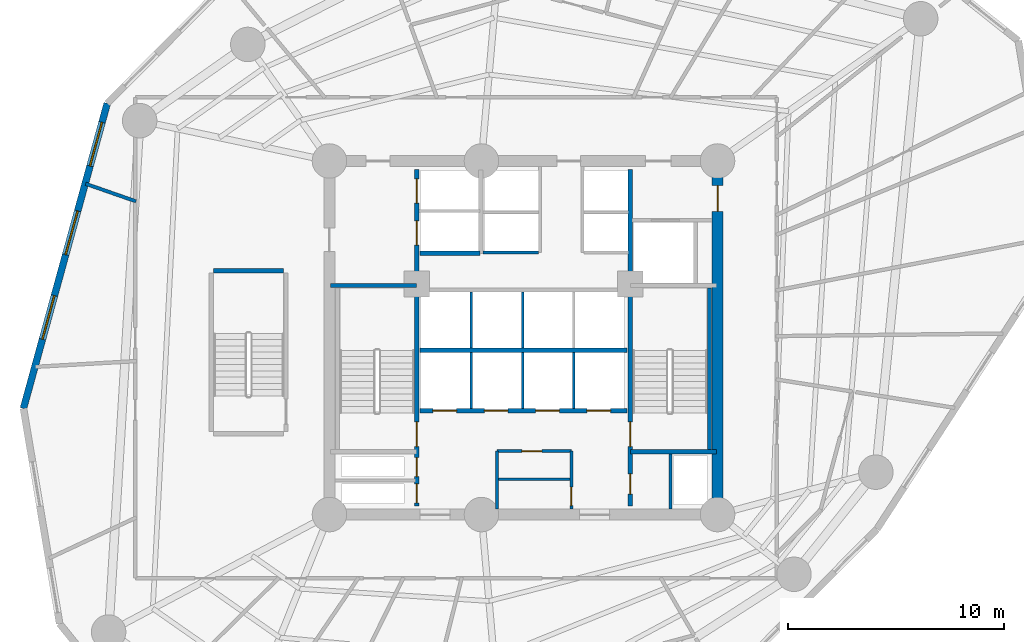
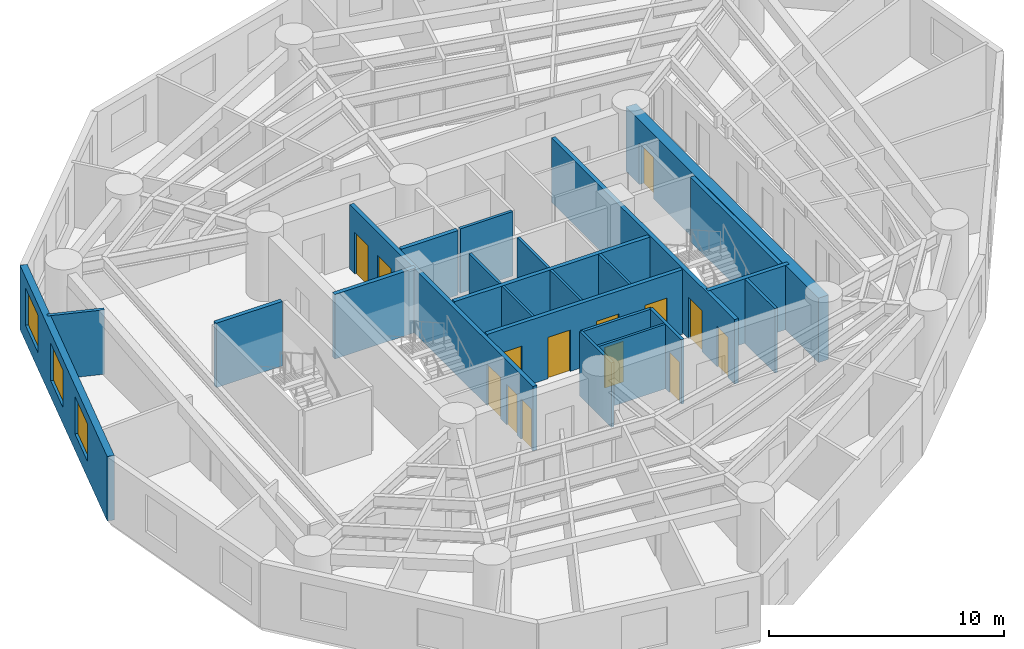
# One storey, part 4 of 8: 23 walls, 14 doors, 3 windows, 17 openings.
"""IFC4 building model written with IfcOpenShell, lengths in metres."""

from ifc_helpers import new_model, si_unit, direction, frame, frame_2d, origin, origin_with_axes, place, context, subcontext, project, spatial, rectangle, extrude, source, transform, mapped, material, layer, layer_set, type_object, element, fill, save


model = new_model("IFC4")

# Units and contexts
model_context = context("Model", 3, precision=1e-05, world=origin(), true_north=direction((0.0, 1.0)))
body_context = subcontext(model_context, "Body", "Model", "MODEL_VIEW")
ifc_project = project(units=[si_unit("LENGTHUNIT", "METRE"), si_unit("AREAUNIT", "SQUARE_METRE"), si_unit("VOLUMEUNIT", "CUBIC_METRE"), si_unit("PLANEANGLEUNIT", "RADIAN"), si_unit("MASSUNIT", "GRAM", prefix="KILO")], contexts=[model_context])

# Site, building, storey
site_placement = place(None, origin())
site = spatial("IfcSite", under=ifc_project, at=site_placement, CompositionType="ELEMENT")
building_placement = place(site_placement, origin())
building = spatial("IfcBuilding", under=site, at=building_placement, Name="Karkom Vertical University and Central Library", CompositionType="ELEMENT")
storey_placement = place(building_placement, frame((0.0, 0.0, 73.300048828125)))
storey = spatial("IfcBuildingStorey", under=building, at=storey_placement, Name="L19", CompositionType="ELEMENT", Elevation=73.300048828125)

# Wall, openings, windows
ifc_material_1 = material(Name="Brick-faced precast concrete C45/55", Category="masonry")
ifc_layer_1 = layer(ifc_material_1, 0.320068359375)
ifc_layer_set_1 = layer_set([ifc_layer_1], Name="Brick-faced precast concrete C45/55")
wall_type_1 = type_object("IfcWallType", Name="ENV-WL-BRK-320", PredefinedType="SOLIDWALL", material=ifc_layer_set_1)
wall_1_placement = place(storey_placement, frame((9.192626953125, 37.373779296875, 0.0), z_axis=(0.0, 0.0, 1.0), x_axis=(-0.264887752156, -0.964279253514, 0.0)))
wall_1 = element("IfcWall", 1, at=wall_1_placement, inside=storey, type_object=wall_type_1, Name="Level 19 Brick-Faced Precast Facade Wall 02", PredefinedType="SOLIDWALL", context=body_context, shape_type="SweptSolid", body=[
    extrude(rectangle(XDim=14.67578125, YDim=0.320068359375, at=frame_2d((7.337890625, 0.0))), origin(), (0.0, 0.0, 1.0), 3.349853515625),
])
opening_1_placement = place(wall_1_placement, frame((0.9130859375, 0.0, 0.85009765625)))
opening_1 = element("IfcOpeningElement", 2, at=opening_1_placement, cuts=wall_1, Name="Opening WN-03", PredefinedType="OPENING", context=body_context, shape_type="SweptSolid", body=[
    extrude(rectangle(XDim=2.10009765625, YDim=1.949951171875, at=frame_2d((1.050048828125, 0.97509765625))), frame((0.0, 0.169921875, 0.0), z_axis=(0.0, -1.0, 0.0), x_axis=(1.0, 0.0, 0.0)), (0.0, 0.0, 1.0), 0.340087890625),
])
opening_2_placement = place(wall_1_placement, frame((5.17333984375, 0.0, 0.85009765625)))
opening_2 = element("IfcOpeningElement", 3, at=opening_2_placement, cuts=wall_1, Name="Opening WN-03", PredefinedType="OPENING", context=body_context, shape_type="SweptSolid", body=[
    extrude(rectangle(XDim=2.10009765625, YDim=1.949951171875, at=frame_2d((1.050048828125, 0.97509765625))), frame((0.0, 0.169921875, 0.0), z_axis=(0.0, -1.0, 0.0), x_axis=(1.0, 0.0, 0.0)), (0.0, 0.0, 1.0), 0.340087890625),
])
opening_3_placement = place(wall_1_placement, frame((9.247802734375, 0.0, 0.85009765625)))
opening_3 = element("IfcOpeningElement", 4, at=opening_3_placement, cuts=wall_1, Name="Opening WN-03", PredefinedType="OPENING", context=body_context, shape_type="SweptSolid", body=[
    extrude(rectangle(XDim=2.10009765625, YDim=1.949951171875, at=frame_2d((1.050048828125, 0.97509765625))), frame((0.0, 0.169921875, 0.0), z_axis=(0.0, -1.0, 0.0), x_axis=(1.0, 0.0, 0.0)), (0.0, 0.0, 1.0), 0.340087890625),
])
ifc_material_2 = material(Name="Aluminium thermal-break frame with solar-control IGU", Category="aluminium")
window_type = type_object("IfcWindowType", Name="ENV-WIN-WN-03", PartitioningType="SINGLE_PANEL", PredefinedType="WINDOW", material=ifc_material_2)
shared_shape_1 = source(origin_with_axes(), body_context, "Body", "SweptSolid", [
    extrude(rectangle(XDim=2.10009765625, YDim=1.949951171875, at=frame_2d((1.050048828125, 0.97509765625))), frame((0.0, 0.030029296875, 0.0), z_axis=(0.0, -1.0, 0.0), x_axis=(1.0, 0.0, 0.0)), (0.0, 0.0, 1.0), 0.06005859375),
])
window_1_placement = place(opening_1_placement, origin())
window_1 = element("IfcWindow", 5, at=window_1_placement, inside=storey, type_object=window_type, Name="Level 19 Punched Window 2.1", OverallHeight=1.949951171875, OverallWidth=2.10009765625, PartitioningType="SINGLE_PANEL", PredefinedType="WINDOW", context=body_context, shape_type="MappedRepresentation", body=[
    mapped(shared_shape_1, transform((0.0, 0.0, 0.0), scale=1.0)),
])
fill(opening_1, window_1)
window_2_placement = place(opening_2_placement, origin())
window_2 = element("IfcWindow", 6, at=window_2_placement, inside=storey, type_object=window_type, Name="Level 19 Punched Window 2.2", OverallHeight=1.949951171875, OverallWidth=2.10009765625, PartitioningType="SINGLE_PANEL", PredefinedType="WINDOW", context=body_context, shape_type="MappedRepresentation", body=[
    mapped(shared_shape_1, transform((0.0, 0.0, 0.0), scale=1.0)),
])
fill(opening_2, window_2)
window_3_placement = place(opening_3_placement, origin())
window_3 = element("IfcWindow", 7, at=window_3_placement, inside=storey, type_object=window_type, Name="Level 19 Punched Window 2.3", OverallHeight=1.949951171875, OverallWidth=2.10009765625, PartitioningType="SINGLE_PANEL", PredefinedType="WINDOW", context=body_context, shape_type="MappedRepresentation", body=[
    mapped(shared_shape_1, transform((0.0, 0.0, 0.0), scale=1.0)),
])
fill(opening_3, window_3)

# Walls
ifc_material_3 = material(Name="Insulated metal-stud drywall 160mm", Category="gypsum")
ifc_layer_2 = layer(ifc_material_3, 0.159912109375)
ifc_layer_set_2 = layer_set([ifc_layer_2], Name="Insulated metal-stud drywall 160mm")
wall_type_2 = type_object("IfcWallType", Name="INT-WL-COR-160", PredefinedType="PARTITIONING", material=ifc_layer_set_2)
wall_2_placement = place(storey_placement, frame((10.5283203125, 32.82763671875, 0.0), z_axis=(0.0, 0.0, 1.0), x_axis=(-0.944290130013, 0.329114190456, 0.0)))
element("IfcWall", 8, at=wall_2_placement, inside=storey, type_object=wall_type_2, Name="Level 19 Interior Partition Wall L19-PW-040", PredefinedType="PARTITIONING", context=body_context, shape_type="SweptSolid", body=[
    extrude(rectangle(XDim=2.472412109375, YDim=0.159912109375, at=frame_2d((1.236328125, 0.0))), origin(), (0.0, 0.0, 1.0), 3.349853515625),
])
ifc_material_4 = material(Name="Moisture-resistant drywall 120mm", Category="gypsum")
ifc_layer_3 = layer(ifc_material_4, 0.1201171875)
ifc_layer_set_3 = layer_set([ifc_layer_3], Name="Moisture-resistant drywall 120mm")
wall_type_3 = type_object("IfcWallType", Name="INT-WL-INT-120", PredefinedType="PARTITIONING", material=ifc_layer_set_3)
wall_3_placement = place(storey_placement, frame((27.280029296875, 19.93994140625, 0.0), z_axis=(0.0, 0.0, 1.0), x_axis=(1.0, 0.0, 0.0)))
element("IfcWall", 9, at=wall_3_placement, inside=storey, type_object=wall_type_3, Name="Level 19 Interior Partition Wall L19-CW-K4-DIV", PredefinedType="PARTITIONING", context=body_context, shape_type="SweptSolid", body=[
    extrude(rectangle(XDim=3.43994140625, YDim=0.1201171875, at=frame_2d((1.719970703125, 0.0))), origin(), (0.0, 0.0, 1.0), 3.349853515625),
])
ifc_layer_4 = layer(ifc_material_4, 0.1201171875)
ifc_layer_set_4 = layer_set([ifc_layer_4], Name="Moisture-resistant drywall 120mm")
wall_type_4 = type_object("IfcWallType", Name="INT-WL-INT-120H", PredefinedType="PARTITIONING", material=ifc_layer_set_4)
for number, where, z_axis, x_axis, name in (
    (10, (26.080078125, 23.219970703125, 0.0), (0.0, 0.0, 1.0), (0.0, 1.0, 0.0), "Level 19 Interior Partition Wall L19-CW-PL-DIV1"),
    (11, (28.4599609375, 23.219970703125, 0.0), (0.0, 0.0, 1.0), (0.0, 1.0, 0.0), "Level 19 Interior Partition Wall L19-CW-PL-DIV2"),
    (12, (30.840087890625, 23.219970703125, 0.0), (0.0, 0.0, 1.0), (0.0, 1.0, 0.0), "Level 19 Interior Partition Wall L19-CW-PL-DIV3"),
    (13, (26.080078125, 26.02001953125, 0.0), (0.0, 0.0, 1.0), (0.0, 1.0, 0.0), "Level 19 Interior Partition Wall L19-CW-PM-DIV1"),
    (14, (28.4599609375, 26.02001953125, 0.0), (0.0, 0.0, 1.0), (0.0, 1.0, 0.0), "Level 19 Interior Partition Wall L19-CW-PM-DIV2"),
):
    element("IfcWall", number, at=place(storey_placement, frame(where, z_axis=z_axis, x_axis=x_axis)), inside=storey, type_object=wall_type_4, Name=name, PredefinedType="PARTITIONING", context=body_context, shape_type="SweptSolid", body=[
        extrude(rectangle(XDim=2.60009765625, YDim=0.1201171875, at=frame_2d((1.300048828125, 0.0))), origin(), (0.0, 0.0, 1.0), 3.349853515625),
    ])

# Wall, opening, door
ifc_material_5 = material(Name="Metal-stud gypsum partition 140mm", Category="gypsum")
ifc_layer_5 = layer(ifc_material_5, 0.139892578125)
ifc_layer_set_5 = layer_set([ifc_layer_5], Name="Metal-stud gypsum partition 140mm")
wall_type_5 = type_object("IfcWallType", Name="INT-WL-SUB-140", PredefinedType="PARTITIONING", material=ifc_layer_set_5)
wall_4_placement = place(storey_placement, frame((27.280029296875, 21.239990234375, 0.0), z_axis=(0.0, 0.0, 1.0), x_axis=(1.0, 0.0, 0.0)))
wall_4 = element("IfcWall", 15, at=wall_4_placement, inside=storey, type_object=wall_type_5, Name="Level 19 Interior Partition Wall L19-CW-KBAY-N", PredefinedType="PARTITIONING", context=body_context, shape_type="SweptSolid", body=[
    extrude(rectangle(XDim=3.43994140625, YDim=0.139892578125, at=frame_2d((1.719970703125, 0.0))), origin(), (0.0, 0.0, 1.0), 3.349853515625),
])
opening_4_placement = place(wall_4_placement, frame((1.14990234375, 0.0, 0.0)))
opening_4 = element("IfcOpeningElement", 16, at=opening_4_placement, cuts=wall_4, Name="Opening D-SVC1", PredefinedType="OPENING", context=body_context, shape_type="SweptSolid", body=[
    extrude(rectangle(XDim=0.919921875, YDim=2.10009765625, at=frame_2d((0.4599609375, 1.050048828125))), frame((0.0, 0.080078125, 0.0), z_axis=(0.0, -1.0, 0.0), x_axis=(1.0, 0.0, 0.0)), (0.0, 0.0, 1.0), 0.159912109375),
])
ifc_material_6 = material(Name="Painted timber service door", Category="wood")
door_type_1 = type_object("IfcDoorType", Name="INT-DR-SVC1", OperationType="NOTDEFINED", PredefinedType="DOOR", material=ifc_material_6)
shared_shape_2 = source(origin_with_axes(), body_context, "Body", "SweptSolid", [
    extrude(rectangle(XDim=0.919921875, YDim=2.10009765625, at=frame_2d((0.4599609375, 1.050048828125))), frame((0.0, 0.02490234375, 0.0), z_axis=(0.0, -1.0, 0.0), x_axis=(1.0, 0.0, 0.0)), (0.0, 0.0, 1.0), 0.050048828125),
])
door_1_placement = place(opening_4_placement, origin())
door_1 = element("IfcDoor", 17, at=door_1_placement, inside=storey, type_object=door_type_1, Name="Level 19 Valve Cupboard Door", OperationType="SINGLE_SWING_LEFT", OverallHeight=2.10009765625, OverallWidth=0.919921875, PredefinedType="DOOR", context=body_context, shape_type="MappedRepresentation", body=[
    mapped(shared_shape_2, transform((0.0, 0.0, 0.0), scale=1.0)),
])
fill(opening_4, door_1)

# Wall
wall_5_placement = place(storey_placement, frame((27.280029296875, 18.550048828125, 0.0), z_axis=(0.0, 0.0, 1.0), x_axis=(0.0, 1.0, 0.0)))
element("IfcWall", 18, at=wall_5_placement, inside=storey, type_object=wall_type_5, Name="Level 19 Interior Partition Wall L19-CW-KBAY-W", PredefinedType="PARTITIONING", context=body_context, shape_type="SweptSolid", body=[
    extrude(rectangle(XDim=2.68994140625, YDim=0.139892578125, at=frame_2d((1.344970703125, 0.0))), origin(), (0.0, 0.0, 1.0), 3.349853515625),
])

# Wall, opening, door
wall_6_placement = place(storey_placement, frame((30.719970703125, 18.550048828125, 0.0), z_axis=(0.0, 0.0, 1.0), x_axis=(0.0, 1.0, 0.0)))
wall_6 = element("IfcWall", 19, at=wall_6_placement, inside=storey, type_object=wall_type_5, Name="Level 19 Interior Partition Wall L19-CW-KBAY-E", PredefinedType="PARTITIONING", context=body_context, shape_type="SweptSolid", body=[
    extrude(rectangle(XDim=2.68994140625, YDim=0.139892578125, at=frame_2d((1.344970703125, 0.0))), origin(), (0.0, 0.0, 1.0), 3.349853515625),
])
opening_5_placement = place(wall_6_placement, frame((0.159912109375, 0.0, 0.0)))
opening_5 = element("IfcOpeningElement", 20, at=opening_5_placement, cuts=wall_6, Name="Opening FD-BTH1", PredefinedType="OPENING", context=body_context, shape_type="SweptSolid", body=[
    extrude(rectangle(XDim=0.860107421875, YDim=2.10009765625, at=frame_2d((0.43017578125, 1.050048828125))), frame((0.0, 0.080078125, 0.0), z_axis=(0.0, -1.0, 0.0), x_axis=(1.0, 0.0, 0.0)), (0.0, 0.0, 1.0), 0.159912109375),
])
ifc_material_7 = material(Name="Fire-rated moisture-resistant oak door", Category="wood")
door_type_2 = type_object("IfcDoorType", Name="INT-DR-FBTH1", OperationType="NOTDEFINED", PredefinedType="DOOR", material=ifc_material_7)
shared_shape_3 = source(origin_with_axes(), body_context, "Body", "SweptSolid", [
    extrude(rectangle(XDim=0.860107421875, YDim=2.10009765625, at=frame_2d((0.43017578125, 1.050048828125))), frame((0.0, 0.02490234375, 0.0), z_axis=(0.0, -1.0, 0.0), x_axis=(1.0, 0.0, 0.0)), (0.0, 0.0, 1.0), 0.050048828125),
])
door_2_placement = place(opening_5_placement, origin())
door_2 = element("IfcDoor", 21, at=door_2_placement, inside=storey, type_object=door_type_2, Name="Level 19 Metering Cupboard Door", OperationType="SINGLE_SWING_RIGHT", OverallHeight=2.10009765625, OverallWidth=0.860107421875, PredefinedType="DOOR", context=body_context, shape_type="MappedRepresentation", body=[
    mapped(shared_shape_3, transform((0.0, 0.0, 0.0), scale=1.0)),
])
fill(opening_5, door_2)

# Walls
ifc_layer_6 = layer(ifc_material_5, 0.139892578125)
ifc_layer_set_6 = layer_set([ifc_layer_6], Name="Metal-stud gypsum partition 140mm")
wall_type_6 = type_object("IfcWallType", Name="INT-WL-SUB-140H", PredefinedType="PARTITIONING", material=ifc_layer_set_6)
wall_7_placement = place(storey_placement, frame((26.6201171875, 30.449951171875, 0.0), z_axis=(0.0, 0.0, 1.0), x_axis=(1.0, 0.0, 0.0)))
element("IfcWall", 22, at=wall_7_placement, inside=storey, type_object=wall_type_6, Name="Level 19 Interior Partition Wall L19-CW-PH-S1", PredefinedType="PARTITIONING", context=body_context, shape_type="SweptSolid", body=[
    extrude(rectangle(XDim=2.579833984375, YDim=0.139892578125, at=frame_2d((1.2900390625, 0.0))), origin(), (0.0, 0.0, 1.0), 3.349853515625),
])
wall_8_placement = place(storey_placement, frame((35.320068359375, 18.556884765625, 0.0), z_axis=(0.0, 0.0, 1.0), x_axis=(0.0, 1.0, 0.0)))
element("IfcWall", 23, at=wall_8_placement, inside=storey, type_object=wall_type_6, Name="Level 19 Interior Partition Wall L19-CW-RIS-E", PredefinedType="PARTITIONING", context=body_context, shape_type="SweptSolid", body=[
    extrude(rectangle(XDim=2.553466796875, YDim=0.139892578125, at=frame_2d((1.27685546875, 0.0))), origin(), (0.0, 0.0, 1.0), 3.349853515625),
])

# Wall, opening, door
ifc_material_8 = material(Name="Concrete C50/60", Category="concrete")
ifc_layer_7 = layer(ifc_material_8, 0.5)
ifc_layer_set_7 = layer_set([ifc_layer_7], Name="Concrete C50/60")
wall_type_7 = type_object("IfcWallType", Name="STR-WL-CW-500", PredefinedType="SHEAR", material=ifc_layer_set_7)
wall_9_placement = place(storey_placement, frame((37.5, 18.300048828125, 0.0), z_axis=(0.0, 0.0, 1.0), x_axis=(0.0, 1.0, 0.0)))
wall_9 = element("IfcWall", 24, at=wall_9_placement, inside=storey, type_object=wall_type_7, Name="Level 19 Central Core Shear Wall EW", PredefinedType="SHEAR", context=body_context, shape_type="SweptSolid", body=[
    extrude(rectangle(XDim=16.39990234375, YDim=0.5, at=frame_2d((8.199951171875, 0.0))), origin(), (0.0, 0.0, 1.0), 3.349853515625),
])
opening_6_placement = place(wall_9_placement, frame((14.06005859375, 0.0, 0.0)))
opening_6 = element("IfcOpeningElement", 25, at=opening_6_placement, cuts=wall_9, Name="Opening FD-SUB1", PredefinedType="OPENING", context=body_context, shape_type="SweptSolid", body=[
    extrude(rectangle(XDim=1.199951171875, YDim=2.14990234375, at=frame_2d((0.60009765625, 1.074951171875))), frame((0.0, 0.260009765625, 0.0), z_axis=(0.0, -1.0, 0.0), x_axis=(1.0, 0.0, 0.0)), (0.0, 0.0, 1.0), 0.52001953125),
])
ifc_material_9 = material(Name="Painted steel fire door", Category="steel")
door_type_3 = type_object("IfcDoorType", Name="INT-DR-SUB1", OperationType="NOTDEFINED", PredefinedType="DOOR", material=ifc_material_9)
shared_shape_4 = source(origin_with_axes(), body_context, "Body", "SweptSolid", [
    extrude(rectangle(XDim=1.199951171875, YDim=2.14990234375, at=frame_2d((0.60009765625, 1.074951171875))), frame((0.0, 0.02490234375, 0.0), z_axis=(0.0, -1.0, 0.0), x_axis=(1.0, 0.0, 0.0)), (0.0, 0.0, 1.0), 0.050048828125),
])
door_3_placement = place(opening_6_placement, origin())
door_3 = element("IfcDoor", 26, at=door_3_placement, inside=storey, type_object=door_type_3, Name="Level 19 East Corridor Service Lobby Door", OperationType="SINGLE_SWING_LEFT", OverallHeight=2.14990234375, OverallWidth=1.199951171875, PredefinedType="DOOR", context=body_context, shape_type="MappedRepresentation", body=[
    mapped(shared_shape_4, transform((0.0, 0.0, 0.0), scale=1.0)),
])
fill(opening_6, door_3)

# Wall, openings, doors
ifc_material_10 = material(Name="Concrete C45/55", Category="concrete")
ifc_layer_8 = layer(ifc_material_10, 0.199951171875)
ifc_layer_set_8 = layer_set([ifc_layer_8], Name="Concrete C45/55")
wall_type_8 = type_object("IfcWallType", Name="STR-WL-ST-200", PredefinedType="SHEAR", material=ifc_layer_set_8)
wall_10_placement = place(storey_placement, frame((23.544921875, 18.699951171875, 0.0), z_axis=(0.0, 0.0, 1.0), x_axis=(0.0, 1.0, 0.0)))
wall_10 = element("IfcWall", 27, at=wall_10_placement, inside=storey, type_object=wall_type_8, Name="Level 19 Core Shaft Wall L19-CW-ST1-E", PredefinedType="SHEAR", context=body_context, shape_type="SweptSolid", body=[
    extrude(rectangle(XDim=15.60009765625, YDim=0.199951171875, at=frame_2d((7.800048828125, 0.0))), origin(), (0.0, 0.0, 1.0), 3.349853515625),
])
opening_7_placement = place(wall_10_placement, frame((2.75, 0.0, 0.0)))
opening_7 = element("IfcOpeningElement", 28, at=opening_7_placement, cuts=wall_10, Name="Opening FD-ST1", PredefinedType="OPENING", context=body_context, shape_type="SweptSolid", body=[
    extrude(rectangle(XDim=1.14990234375, YDim=2.14990234375, at=frame_2d((0.574951171875, 1.074951171875))), frame((0.0, 0.10986328125, 0.0), z_axis=(0.0, -1.0, 0.0), x_axis=(1.0, 0.0, 0.0)), (0.0, 0.0, 1.0), 0.219970703125),
])
opening_8_placement = place(wall_10_placement, frame((0.139892578125, 0.0, 0.0)))
opening_8 = element("IfcOpeningElement", 29, at=opening_8_placement, cuts=wall_10, Name="Opening FD-RIS", PredefinedType="OPENING", context=body_context, shape_type="SweptSolid", body=[
    extrude(rectangle(XDim=0.8798828125, YDim=2.10009765625, at=frame_2d((0.43994140625, 1.050048828125))), frame((0.0, 0.10986328125, 0.0), z_axis=(0.0, -1.0, 0.0), x_axis=(1.0, 0.0, 0.0)), (0.0, 0.0, 1.0), 0.219970703125),
])
opening_9_placement = place(wall_10_placement, frame((1.360107421875, 0.0, 0.0)))
opening_9 = element("IfcOpeningElement", 30, at=opening_9_placement, cuts=wall_10, Name="Opening FD-RIS", PredefinedType="OPENING", context=body_context, shape_type="SweptSolid", body=[
    extrude(rectangle(XDim=0.8798828125, YDim=2.10009765625, at=frame_2d((0.43994140625, 1.050048828125))), frame((0.0, 0.10986328125, 0.0), z_axis=(0.0, -1.0, 0.0), x_axis=(1.0, 0.0, 0.0)), (0.0, 0.0, 1.0), 0.219970703125),
])
opening_10_placement = place(wall_10_placement, frame((12.10009765625, 0.0, 0.0)))
opening_10 = element("IfcOpeningElement", 31, at=opening_10_placement, cuts=wall_10, Name="Opening LD-FFL", PredefinedType="OPENING", context=body_context, shape_type="SweptSolid", body=[
    extrude(rectangle(XDim=1.1201171875, YDim=2.14990234375, at=frame_2d((0.56005859375, 1.074951171875))), frame((0.0, 0.10986328125, 0.0), z_axis=(0.0, -1.0, 0.0), x_axis=(1.0, 0.0, 0.0)), (0.0, 0.0, 1.0), 0.219970703125),
])
opening_11_placement = place(wall_10_placement, frame((14.050048828125, 0.0, 0.0)))
opening_11 = element("IfcOpeningElement", 32, at=opening_11_placement, cuts=wall_10, Name="Opening LD-FFL", PredefinedType="OPENING", context=body_context, shape_type="SweptSolid", body=[
    extrude(rectangle(XDim=1.1201171875, YDim=2.14990234375, at=frame_2d((0.56005859375, 1.074951171875))), frame((0.0, 0.10986328125, 0.0), z_axis=(0.0, -1.0, 0.0), x_axis=(1.0, 0.0, 0.0)), (0.0, 0.0, 1.0), 0.219970703125),
])
ifc_material_11 = material(Name="Painted steel acoustic fire door", Category="steel")
door_type_4 = type_object("IfcDoorType", Name="INT-DR-ST1", OperationType="NOTDEFINED", PredefinedType="DOOR", material=ifc_material_11)
shared_shape_5 = source(origin_with_axes(), body_context, "Body", "SweptSolid", [
    extrude(rectangle(XDim=1.14990234375, YDim=2.14990234375, at=frame_2d((0.574951171875, 1.074951171875))), frame((0.0, 0.02490234375, 0.0), z_axis=(0.0, -1.0, 0.0), x_axis=(1.0, 0.0, 0.0)), (0.0, 0.0, 1.0), 0.050048828125),
])
door_4_placement = place(opening_7_placement, origin())
door_4 = element("IfcDoor", 33, at=door_4_placement, inside=storey, type_object=door_type_4, Name="Level 19 Stair ST-1 Fire Door", OperationType="SINGLE_SWING_LEFT", OverallHeight=2.14990234375, OverallWidth=1.14990234375, PredefinedType="DOOR", context=body_context, shape_type="MappedRepresentation", body=[
    mapped(shared_shape_5, transform((0.0, 0.0, 0.0), scale=1.0)),
])
fill(opening_7, door_4)
ifc_material_12 = material(Name="Painted steel riser access door", Category="steel")
door_type_5 = type_object("IfcDoorType", Name="INT-DR-RIS", OperationType="NOTDEFINED", PredefinedType="DOOR", material=ifc_material_12)
shared_shape_6 = source(origin_with_axes(), body_context, "Body", "SweptSolid", [
    extrude(rectangle(XDim=0.8798828125, YDim=2.10009765625, at=frame_2d((0.43994140625, 1.050048828125))), frame((0.0, 0.02490234375, 0.0), z_axis=(0.0, -1.0, 0.0), x_axis=(1.0, 0.0, 0.0)), (0.0, 0.0, 1.0), 0.050048828125),
])
door_5_placement = place(opening_8_placement, origin())
door_5 = element("IfcDoor", 34, at=door_5_placement, inside=storey, type_object=door_type_5, Name="Level 19 Electrical Riser Access Door", OperationType="SINGLE_SWING_LEFT", OverallHeight=2.10009765625, OverallWidth=0.8798828125, PredefinedType="DOOR", context=body_context, shape_type="MappedRepresentation", body=[
    mapped(shared_shape_6, transform((0.0, 0.0, 0.0), scale=1.0)),
])
fill(opening_8, door_5)
door_6_placement = place(opening_9_placement, origin())
door_6 = element("IfcDoor", 35, at=door_6_placement, inside=storey, type_object=door_type_5, Name="Level 19 Telecom Riser Access Door", OperationType="SINGLE_SWING_RIGHT", OverallHeight=2.10009765625, OverallWidth=0.8798828125, PredefinedType="DOOR", context=body_context, shape_type="MappedRepresentation", body=[
    mapped(shared_shape_6, transform((0.0, 0.0, 0.0), scale=1.0)),
])
fill(opening_9, door_6)
ifc_material_13 = material(Name="Fire-rated stainless-steel landing door", Category="steel")
door_type_6 = type_object("IfcDoorType", Name="INT-DR-LD-FFL", OperationType="SLIDING_TO_LEFT", PredefinedType="DOOR", material=ifc_material_13)
shared_shape_7 = source(origin_with_axes(), body_context, "Body", "SweptSolid", [
    extrude(rectangle(XDim=1.1201171875, YDim=2.14990234375, at=frame_2d((0.56005859375, 1.074951171875))), frame((0.0, 0.02490234375, 0.0), z_axis=(0.0, -1.0, 0.0), x_axis=(1.0, 0.0, 0.0)), (0.0, 0.0, 1.0), 0.050048828125),
])
door_7_placement = place(opening_10_placement, origin())
door_7 = element("IfcDoor", 36, at=door_7_placement, inside=storey, type_object=door_type_6, Name="Level 19 Firefighting Lift FFL-1 Landing Door", OperationType="SLIDING_TO_LEFT", OverallHeight=2.14990234375, OverallWidth=1.1201171875, PredefinedType="DOOR", context=body_context, shape_type="MappedRepresentation", body=[
    mapped(shared_shape_7, transform((0.0, 0.0, 0.0), scale=1.0)),
])
fill(opening_10, door_7)
door_8_placement = place(opening_11_placement, origin())
door_8 = element("IfcDoor", 37, at=door_8_placement, inside=storey, type_object=door_type_6, Name="Level 19 Firefighting Lift FFL-2 Landing Door", OperationType="SLIDING_TO_RIGHT", OverallHeight=2.14990234375, OverallWidth=1.1201171875, PredefinedType="DOOR", context=body_context, shape_type="MappedRepresentation", body=[
    mapped(shared_shape_7, transform((0.0, 0.0, 0.0), scale=1.0)),
])
fill(opening_11, door_8)

wall_11_placement = place(storey_placement, frame((33.455078125, 18.699951171875, 0.0), z_axis=(0.0, 0.0, 1.0), x_axis=(0.0, 1.0, 0.0)))
wall_11 = element("IfcWall", 38, at=wall_11_placement, inside=storey, type_object=wall_type_8, Name="Level 19 Core Shaft Wall L19-CW-ST2-W", PredefinedType="SHEAR", context=body_context, shape_type="SweptSolid", body=[
    extrude(rectangle(XDim=15.60009765625, YDim=0.199951171875, at=frame_2d((7.800048828125, 0.0))), origin(), (0.0, 0.0, 1.0), 3.349853515625),
])
opening_12_placement = place(wall_11_placement, frame((2.75, 0.0, 0.0)))
opening_12 = element("IfcOpeningElement", 39, at=opening_12_placement, cuts=wall_11, Name="Opening FD-ST1", PredefinedType="OPENING", context=body_context, shape_type="SweptSolid", body=[
    extrude(rectangle(XDim=1.14990234375, YDim=2.14990234375, at=frame_2d((0.574951171875, 1.074951171875))), frame((0.0, 0.10986328125, 0.0), z_axis=(0.0, -1.0, 0.0), x_axis=(1.0, 0.0, 0.0)), (0.0, 0.0, 1.0), 0.219970703125),
])
opening_13_placement = place(wall_11_placement, frame((0.550048828125, 0.0, 0.0)))
opening_13 = element("IfcOpeningElement", 40, at=opening_13_placement, cuts=wall_11, Name="Opening D-WC1", PredefinedType="OPENING", context=body_context, shape_type="SweptSolid", body=[
    extrude(rectangle(XDim=0.93994140625, YDim=2.10009765625, at=frame_2d((0.469970703125, 1.050048828125))), frame((0.0, 0.10986328125, 0.0), z_axis=(0.0, -1.0, 0.0), x_axis=(1.0, 0.0, 0.0)), (0.0, 0.0, 1.0), 0.219970703125),
])
door_9_placement = place(opening_12_placement, origin())
door_9 = element("IfcDoor", 41, at=door_9_placement, inside=storey, type_object=door_type_4, Name="Level 19 Stair ST-2 Fire Door", OperationType="SINGLE_SWING_RIGHT", OverallHeight=2.14990234375, OverallWidth=1.14990234375, PredefinedType="DOOR", context=body_context, shape_type="MappedRepresentation", body=[
    mapped(shared_shape_5, transform((0.0, 0.0, 0.0), scale=1.0)),
])
fill(opening_12, door_9)
ifc_material_14 = material(Name="Fire-rated laminate moisture-resistant door", Category="wood")
door_type_7 = type_object("IfcDoorType", Name="INT-DR-WC1", OperationType="NOTDEFINED", PredefinedType="DOOR", material=ifc_material_14)
shared_shape_8 = source(origin_with_axes(), body_context, "Body", "SweptSolid", [
    extrude(rectangle(XDim=0.93994140625, YDim=2.10009765625, at=frame_2d((0.469970703125, 1.050048828125))), frame((0.0, 0.02490234375, 0.0), z_axis=(0.0, -1.0, 0.0), x_axis=(1.0, 0.0, 0.0)), (0.0, 0.0, 1.0), 0.050048828125),
])
door_10_placement = place(opening_13_placement, origin())
door_10 = element("IfcDoor", 42, at=door_10_placement, inside=storey, type_object=door_type_7, Name="Level 19 Accessible WC Door", OperationType="SINGLE_SWING_LEFT", OverallHeight=2.10009765625, OverallWidth=0.93994140625, PredefinedType="DOOR", context=body_context, shape_type="MappedRepresentation", body=[
    mapped(shared_shape_8, transform((0.0, 0.0, 0.0), scale=1.0)),
])
fill(opening_13, door_10)

wall_12_placement = place(storey_placement, frame((23.699951171875, 23.1201171875, 0.0), z_axis=(0.0, 0.0, 1.0), x_axis=(1.0, 0.0, 0.0)))
wall_12 = element("IfcWall", 43, at=wall_12_placement, inside=storey, type_object=wall_type_8, Name="Level 19 Core Shaft Wall L19-CW-B1-S", PredefinedType="SHEAR", context=body_context, shape_type="SweptSolid", body=[
    extrude(rectangle(XDim=9.60009765625, YDim=0.199951171875, at=frame_2d((4.800048828125, 0.0))), origin(), (0.0, 0.0, 1.0), 3.349853515625),
])
opening_14_placement = place(wall_12_placement, frame((0.60009765625, 0.0, 0.0)))
opening_14 = element("IfcOpeningElement", 44, at=opening_14_placement, cuts=wall_12, Name="Opening LD-PAX", PredefinedType="OPENING", context=body_context, shape_type="SweptSolid", body=[
    extrude(rectangle(XDim=1.10009765625, YDim=2.14990234375, at=frame_2d((0.550048828125, 1.074951171875))), frame((0.0, 0.10986328125, 0.0), z_axis=(0.0, -1.0, 0.0), x_axis=(1.0, 0.0, 0.0)), (0.0, 0.0, 1.0), 0.219970703125),
])
opening_15_placement = place(wall_12_placement, frame((2.97998046875, 0.0, 0.0)))
opening_15 = element("IfcOpeningElement", 45, at=opening_15_placement, cuts=wall_12, Name="Opening LD-PAX", PredefinedType="OPENING", context=body_context, shape_type="SweptSolid", body=[
    extrude(rectangle(XDim=1.10009765625, YDim=2.14990234375, at=frame_2d((0.550048828125, 1.074951171875))), frame((0.0, 0.10986328125, 0.0), z_axis=(0.0, -1.0, 0.0), x_axis=(1.0, 0.0, 0.0)), (0.0, 0.0, 1.0), 0.219970703125),
])
opening_16_placement = place(wall_12_placement, frame((5.360107421875, 0.0, 0.0)))
opening_16 = element("IfcOpeningElement", 46, at=opening_16_placement, cuts=wall_12, Name="Opening LD-PAX", PredefinedType="OPENING", context=body_context, shape_type="SweptSolid", body=[
    extrude(rectangle(XDim=1.10009765625, YDim=2.14990234375, at=frame_2d((0.550048828125, 1.074951171875))), frame((0.0, 0.10986328125, 0.0), z_axis=(0.0, -1.0, 0.0), x_axis=(1.0, 0.0, 0.0)), (0.0, 0.0, 1.0), 0.219970703125),
])
opening_17_placement = place(wall_12_placement, frame((7.739990234375, 0.0, 0.0)))
opening_17 = element("IfcOpeningElement", 47, at=opening_17_placement, cuts=wall_12, Name="Opening LD-PAX", PredefinedType="OPENING", context=body_context, shape_type="SweptSolid", body=[
    extrude(rectangle(XDim=1.10009765625, YDim=2.14990234375, at=frame_2d((0.550048828125, 1.074951171875))), frame((0.0, 0.10986328125, 0.0), z_axis=(0.0, -1.0, 0.0), x_axis=(1.0, 0.0, 0.0)), (0.0, 0.0, 1.0), 0.219970703125),
])
ifc_material_15 = material(Name="Brushed stainless-steel landing door", Category="steel")
door_type_8 = type_object("IfcDoorType", Name="INT-DR-LD-PAX", OperationType="SLIDING_TO_LEFT", PredefinedType="DOOR", material=ifc_material_15)
shared_shape_9 = source(origin_with_axes(), body_context, "Body", "SweptSolid", [
    extrude(rectangle(XDim=1.10009765625, YDim=2.14990234375, at=frame_2d((0.550048828125, 1.074951171875))), frame((0.0, 0.02490234375, 0.0), z_axis=(0.0, -1.0, 0.0), x_axis=(1.0, 0.0, 0.0)), (0.0, 0.0, 1.0), 0.050048828125),
])
door_11_placement = place(opening_14_placement, origin())
door_11 = element("IfcDoor", 48, at=door_11_placement, inside=storey, type_object=door_type_8, Name="Level 19 Lift PL-1 Landing Door", OperationType="SLIDING_TO_LEFT", OverallHeight=2.14990234375, OverallWidth=1.10009765625, PredefinedType="DOOR", context=body_context, shape_type="MappedRepresentation", body=[
    mapped(shared_shape_9, transform((0.0, 0.0, 0.0), scale=1.0)),
])
fill(opening_14, door_11)
door_12_placement = place(opening_15_placement, origin())
door_12 = element("IfcDoor", 49, at=door_12_placement, inside=storey, type_object=door_type_8, Name="Level 19 Lift PL-2 Landing Door", OperationType="SLIDING_TO_RIGHT", OverallHeight=2.14990234375, OverallWidth=1.10009765625, PredefinedType="DOOR", context=body_context, shape_type="MappedRepresentation", body=[
    mapped(shared_shape_9, transform((0.0, 0.0, 0.0), scale=1.0)),
])
fill(opening_15, door_12)
door_13_placement = place(opening_16_placement, origin())
door_13 = element("IfcDoor", 50, at=door_13_placement, inside=storey, type_object=door_type_8, Name="Level 19 Lift PL-3 Landing Door", OperationType="SLIDING_TO_LEFT", OverallHeight=2.14990234375, OverallWidth=1.10009765625, PredefinedType="DOOR", context=body_context, shape_type="MappedRepresentation", body=[
    mapped(shared_shape_9, transform((0.0, 0.0, 0.0), scale=1.0)),
])
fill(opening_16, door_13)
door_14_placement = place(opening_17_placement, origin())
door_14 = element("IfcDoor", 51, at=door_14_placement, inside=storey, type_object=door_type_8, Name="Level 19 Lift PL-4 Landing Door", OperationType="SLIDING_TO_RIGHT", OverallHeight=2.14990234375, OverallWidth=1.10009765625, PredefinedType="DOOR", context=body_context, shape_type="MappedRepresentation", body=[
    mapped(shared_shape_9, transform((0.0, 0.0, 0.0), scale=1.0)),
])
fill(opening_17, door_14)

# Walls
wall_13_placement = place(storey_placement, frame((23.699951171875, 25.919921875, 0.0), z_axis=(0.0, 0.0, 1.0), x_axis=(1.0, 0.0, 0.0)))
element("IfcWall", 52, at=wall_13_placement, inside=storey, type_object=wall_type_8, Name="Level 19 Core Shaft Wall L19-CW-B1-N", PredefinedType="SHEAR", context=body_context, shape_type="SweptSolid", body=[
    extrude(rectangle(XDim=9.60009765625, YDim=0.199951171875, at=frame_2d((4.800048828125, 0.0))), origin(), (0.0, 0.0, 1.0), 3.349853515625),
])
wall_14_placement = place(storey_placement, frame((37.125, 21.320068359375, 0.0), z_axis=(0.0, 0.0, 1.0), x_axis=(0.0, 1.0, 0.0)))
element("IfcWall", 53, at=wall_14_placement, inside=storey, type_object=wall_type_8, Name="Level 19 Core Shaft Wall L19-CW-ST2-E", PredefinedType="SHEAR", context=body_context, shape_type="SweptSolid", body=[
    extrude(rectangle(XDim=7.5, YDim=0.199951171875, at=frame_2d((3.75, 0.0))), origin(), (0.0, 0.0, 1.0), 3.349853515625),
])
for number, where, z_axis, x_axis, name in (
    (54, (33.455078125, 21.215087890625, 0.0), (0.0, 0.0, 1.0), (1.0, 0.0, 0.0), "Level 19 Core Shaft Wall L19-CW-ST2-S"),
    (55, (19.550048828125, 28.925048828125, 0.0), (0.0, 0.0, 1.0), (1.0, 0.0, 0.0), "Level 19 Core Shaft Wall L19-CW-ST1-N"),
):
    element("IfcWall", number, at=place(storey_placement, frame(where, z_axis=z_axis, x_axis=x_axis)), inside=storey, type_object=wall_type_8, Name=name, PredefinedType="SHEAR", context=body_context, shape_type="SweptSolid", body=[
        extrude(rectangle(XDim=3.994873046875, YDim=0.199951171875, at=frame_2d((1.99755859375, 0.0))), origin(), (0.0, 0.0, 1.0), 3.349853515625),
    ])
wall_15_placement = place(storey_placement, frame((14.1201171875, 29.60498046875, 0.0), z_axis=(0.0, 0.0, 1.0), x_axis=(1.0, 0.0, 0.0)))
element("IfcWall", 56, at=wall_15_placement, inside=storey, type_object=wall_type_8, Name="Level 19 Core Shaft Wall L19-W-ST3-N", PredefinedType="SHEAR", context=body_context, shape_type="SweptSolid", body=[
    extrude(rectangle(XDim=3.259765625, YDim=0.199951171875, at=frame_2d((1.6298828125, 0.0))), origin(), (0.0, 0.0, 1.0), 3.349853515625),
])
wall_16_placement = place(storey_placement, frame((23.699951171875, 30.419921875, 0.0), z_axis=(0.0, 0.0, 1.0), x_axis=(1.0, 0.0, 0.0)))
element("IfcWall", 57, at=wall_16_placement, inside=storey, type_object=wall_type_8, Name="Level 19 Core Shaft Wall L19-CW-FFL-S", PredefinedType="SHEAR", context=body_context, shape_type="SweptSolid", body=[
    extrude(rectangle(XDim=2.780029296875, YDim=0.199951171875, at=frame_2d((1.39013671875, 0.0))), origin(), (0.0, 0.0, 1.0), 3.349853515625),
])

save(model, "model.ifc")
